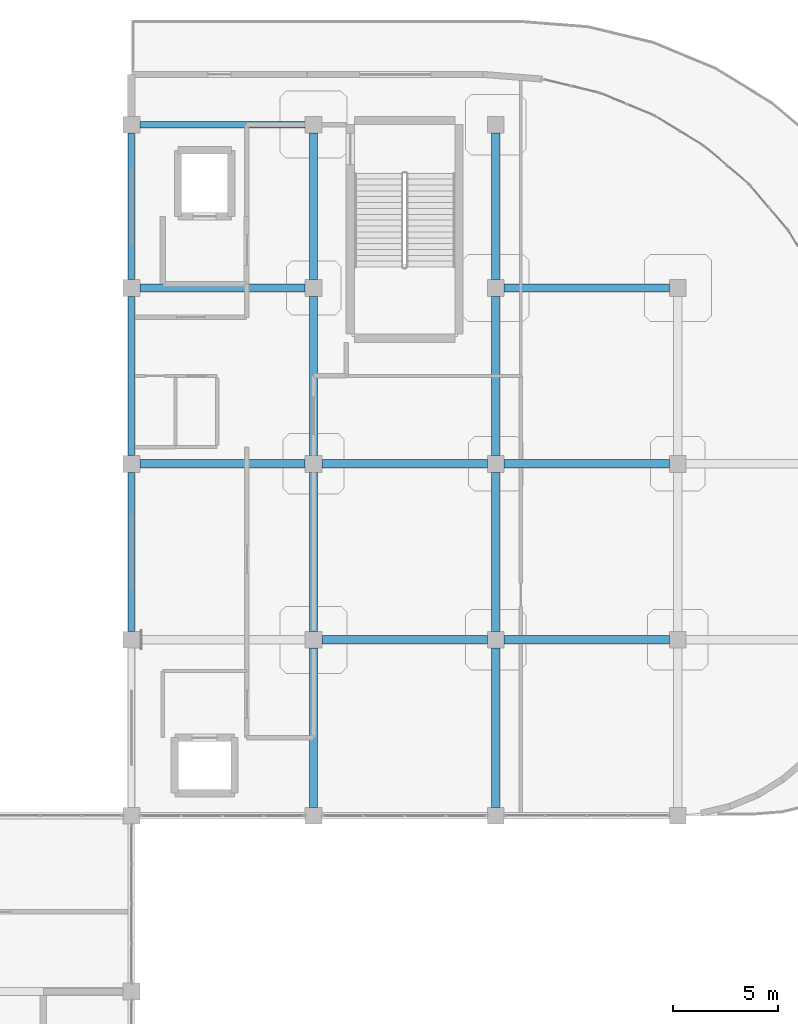
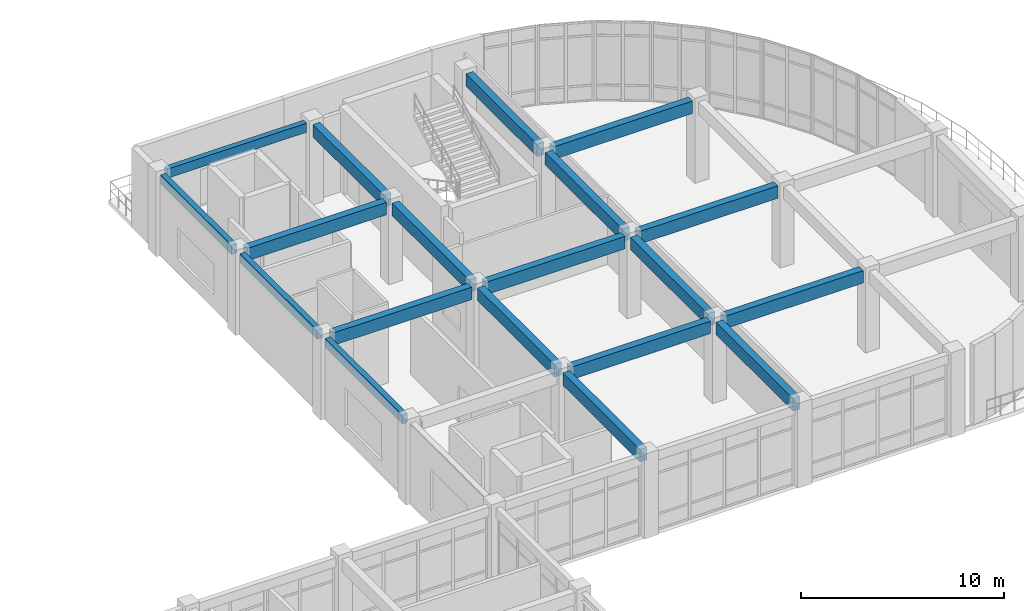
# One storey, part 55 of 96: 19 beams.
"""IFC4 building model written with IfcOpenShell, lengths in metres."""

import ifcopenshell
import ifcopenshell.guid

model = None  # the IFC model being written
_history = None  # IfcOwnerHistory: only IFC2X3 demands one
_inside = {}  # id of a spatial element -> (the spatial element, [elements in it])
_under = {}  # id of a project, library or spatial element -> (it, [spatial elements below it])
_declared = {}  # id of a project -> (the project, [libraries it declares])
_typed = {}  # id of a type object -> (the type object, [elements of that type])
_made_of = {}  # id of a material, layer set ... -> (it, [elements and type objects made of it])


def new_model(schema):
    """Start an empty IFC model of exactly this schema.

    Asked for "IFC4X3", IfcOpenShell would pick the latest addendum, in which some entities
    have other attributes; the version numbers below select the first issue.
    IFC2X3 requires an IfcOwnerHistory on every rooted entity: one is made here for all.
    """
    global model, _history
    if schema == "IFC4X3":
        model = ifcopenshell.file(schema_version=(4, 3, 0, 0))
    else:
        model = ifcopenshell.file(schema=schema)
    _inside.clear()
    _under.clear()
    _declared.clear()
    _typed.clear()
    _made_of.clear()
    _history = None
    if model.schema == "IFC2X3":
        org = make("IfcOrganization", Name="unknown")
        user = make(
            "IfcPersonAndOrganization",
            ThePerson=make("IfcPerson", FamilyName="unknown"),
            TheOrganization=org,
        )
        app = make(
            "IfcApplication",
            ApplicationDeveloper=org,
            Version="unknown",
            ApplicationFullName="unknown",
            ApplicationIdentifier="unknown",
        )
        _history = make(
            "IfcOwnerHistory",
            OwningUser=user,
            OwningApplication=app,
            ChangeAction="ADDED",
            CreationDate=0,
        )
    return model


def make(cls, **values):
    """One entity of the class cls with the attributes given. An attribute that is None is left unset."""
    return model.create_entity(
        cls, **{name: value for name, value in values.items() if value is not None}
    )


def rooted(cls, **values):
    """An entity with a GlobalId (a new one), such as an element, a storey or a relation."""
    return make(cls, GlobalId=ifcopenshell.guid.new(), OwnerHistory=_history, **values)


def si_unit(unit_type, name, prefix=None):
    """IfcSIUnit, for example si_unit("LENGTHUNIT", "METRE", prefix="MILLI")."""
    return make("IfcSIUnit", UnitType=unit_type, Prefix=prefix, Name=name)


def derived_unit(unit_type, elements):
    """IfcDerivedUnit: a product of units, each with its exponent."""
    return make(
        "IfcDerivedUnit",
        Elements=[
            make("IfcDerivedUnitElement", Unit=unit, Exponent=power)
            for unit, power in elements
        ],
        UnitType=unit_type,
    )


def assignment(units):
    """IfcUnitAssignment: the units of a project."""
    return None if units is None else make("IfcUnitAssignment", Units=units)


def point(xyz):
    """IfcCartesianPoint."""
    return None if xyz is None else make("IfcCartesianPoint", Coordinates=xyz)


def direction(xyz):
    """IfcDirection."""
    return None if xyz is None else make("IfcDirection", DirectionRatios=xyz)


def frame(location, z_axis=None, x_axis=None):
    """IfcAxis2Placement3D, a coordinate frame: its origin and axes. An axis left out is left unset."""
    return make(
        "IfcAxis2Placement3D",
        Location=point(location),
        Axis=direction(z_axis),
        RefDirection=direction(x_axis),
    )


def frame_2d(location, x_axis=None):
    """IfcAxis2Placement2D, a coordinate frame in the plane: its origin and x axis."""
    return make(
        "IfcAxis2Placement2D", Location=point(location), RefDirection=direction(x_axis)
    )


def origin():
    """The frame at (0, 0, 0) with its axes left unset."""
    return frame((0.0, 0.0, 0.0))


def origin_2d():
    """The frame at (0, 0) in the plane with its x axis left unset."""
    return frame_2d((0.0, 0.0))


def place(relative_to, where):
    """IfcLocalPlacement: puts the frame where relative to a parent placement (None: the world)."""
    return make(
        "IfcLocalPlacement", PlacementRelTo=relative_to, RelativePlacement=where
    )


def context(
    kind, dimensions, precision=None, world=None, true_north=None, identifier=None
):
    """IfcGeometricRepresentationContext, for example the 3D "Model" context."""
    return make(
        "IfcGeometricRepresentationContext",
        ContextIdentifier=identifier,
        ContextType=kind,
        CoordinateSpaceDimension=dimensions,
        Precision=precision,
        WorldCoordinateSystem=world,
        TrueNorth=true_north,
    )


def subcontext(parent, identifier, kind, view, scale=None):
    """IfcGeometricRepresentationSubContext, for example "Body" below "Model"."""
    return make(
        "IfcGeometricRepresentationSubContext",
        ContextIdentifier=identifier,
        ContextType=kind,
        ParentContext=parent,
        TargetScale=scale,
        TargetView=view,
    )


def project(units=None, contexts=None):
    """IfcProject with its units and contexts."""
    return rooted(
        "IfcProject",
        Name="project",
        RepresentationContexts=contexts,
        UnitsInContext=assignment(units),
    )


def spatial(cls, under=None, at=None, **own):
    """A site, building, storey or space (cls), placed at a placement, below another one or the project."""
    s = rooted(cls, ObjectPlacement=at, **own)
    if under is not None:
        _under.setdefault(under.id(), (under, []))[1].append(s)
    return s


def profile(cls, at=None, kind="AREA", **sizes):
    """A parametric profile (cls). Its sizes go by their IFC names, for example OverallWidth=200.0."""
    return make(cls, ProfileType=kind, Position=at, **sizes)


def rectangle(**sizes):
    """IfcRectangleProfileDef."""
    return profile("IfcRectangleProfileDef", **sizes)


def extrude(swept, where, along, depth):
    """IfcExtrudedAreaSolid: the profile swept, set in the frame where, extruded along a direction by depth."""
    return make(
        "IfcExtrudedAreaSolid",
        SweptArea=swept,
        Position=where,
        ExtrudedDirection=direction(along),
        Depth=depth,
    )


def shape(context_of_items, identifier, shape_type, items):
    """IfcShapeRepresentation: the items that make up one representation, for example the "Body"."""
    return make(
        "IfcShapeRepresentation",
        ContextOfItems=context_of_items,
        RepresentationIdentifier=identifier,
        RepresentationType=shape_type,
        Items=items,
    )


def material(Name=None, Category=None):
    """IfcMaterial."""
    return make("IfcMaterial", Name=Name, Category=Category)


def material_profile(
    of_material, cross_section, Name=None, Category=None, Priority=None
):
    """IfcMaterialProfile: a cross section and its material."""
    return make(
        "IfcMaterialProfile",
        Name=Name,
        Material=of_material,
        Profile=cross_section,
        Priority=Priority,
        Category=Category,
    )


def profile_set(profiles, Name=None, composite=None):
    """IfcMaterialProfileSet."""
    return make(
        "IfcMaterialProfileSet",
        Name=Name,
        MaterialProfiles=profiles,
        CompositeProfile=composite,
    )


def made_of(thing, what):
    """Note that an element or type object is made of a material, layer set ...; save() writes the relation."""
    if what is not None:
        _made_of.setdefault(what.id(), (what, []))[1].append(thing)
    return thing


def type_object(cls, material=None, **own):
    """A type object (cls), such as IfcWallType, which elements share."""
    return made_of(rooted(cls, **own), material)


def element(
    cls,
    number,
    at=None,
    inside=None,
    cuts=None,
    type_object=None,
    material=None,
    context=None,
    identifier="Body",
    shape_type=None,
    held_by="IfcProductDefinitionShape",
    body=None,
    shapes=None,
    **own,
):
    """One element of the class cls, such as IfcWall. Its Tag is "e" and its number.

    at: its placement. inside: the storey or other place that contains it. cuts: it is an
    opening in that element (IfcRelVoidsElement). A single representation is given by context,
    identifier, shape_type and body (its items); several are given by shapes. held_by: the class
    of the entity that holds the representations. save() writes the other relations.
    """
    e = rooted(cls, Tag="e%d" % number, ObjectPlacement=at, **own)
    if body is not None:
        shapes = [shape(context, identifier, shape_type, body)]
    if shapes is not None:
        e.Representation = make(held_by, Representations=shapes)
    if inside is not None:
        _inside.setdefault(inside.id(), (inside, []))[1].append(e)
    if cuts is not None:
        rooted(
            "IfcRelVoidsElement", RelatingBuildingElement=cuts, RelatedOpeningElement=e
        )
    if type_object is not None:
        _typed.setdefault(type_object.id(), (type_object, []))[1].append(e)
    return made_of(e, material)


def aggregate(whole, parts):
    """IfcRelAggregates: a whole, such as a stair, and the parts it consists of."""
    return rooted("IfcRelAggregates", RelatingObject=whole, RelatedObjects=parts)


def save(model, path):
    """Write the relations noted so far, then the file.

    IfcRelAggregates (storeys below a building ...), IfcRelContainedInSpatialStructure (elements
    in a storey), IfcRelDefinesByType, IfcRelAssociatesMaterial and IfcRelDeclares: one each for
    every whole, place, type object, material and project.
    """
    for whole, parts in _under.values():
        aggregate(whole, parts)
    for where, things in _inside.values():
        rooted(
            "IfcRelContainedInSpatialStructure",
            RelatedElements=things,
            RelatingStructure=where,
        )
    for kind, things in _typed.values():
        rooted("IfcRelDefinesByType", RelatedObjects=things, RelatingType=kind)
    for what, things in _made_of.values():
        rooted("IfcRelAssociatesMaterial", RelatedObjects=things, RelatingMaterial=what)
    for by, libraries in _declared.values():
        rooted("IfcRelDeclares", RelatingContext=by, RelatedDefinitions=libraries)
    model.write(path)


model = new_model("IFC4")

# Units and contexts
model_context = context("Model", 3, precision=1e-05, world=origin(), true_north=direction((0.0, 1.0)))
body_context = subcontext(model_context, "Body", "Model", "MODEL_VIEW")
ifc_project = project(units=[si_unit("LENGTHUNIT", "METRE"), si_unit("AREAUNIT", "SQUARE_METRE"), si_unit("VOLUMEUNIT", "CUBIC_METRE"), si_unit("PLANEANGLEUNIT", "RADIAN"), si_unit("MASSUNIT", "GRAM", prefix="KILO"), derived_unit("THERMALTRANSMITTANCEUNIT", [(si_unit("MASSUNIT", "GRAM", prefix="KILO"), 1), (si_unit("TIMEUNIT", "SECOND"), -3), (si_unit("THERMODYNAMICTEMPERATUREUNIT", "KELVIN"), -1)])], contexts=[model_context])

# Site, building, storey
site_placement = place(None, origin())
site = spatial("IfcSite", under=ifc_project, at=site_placement, CompositionType="ELEMENT")
building_placement = place(site_placement, origin())
building = spatial("IfcBuilding", under=site, at=building_placement, Name="Qinzheling Arcade Emporium", CompositionType="ELEMENT")
storey_placement = place(building_placement, frame((0.0, 0.0, 21.60009765625)))
storey = spatial("IfcBuildingStorey", under=building, at=storey_placement, Name="L05", CompositionType="ELEMENT", Elevation=21.60009765625)

# Beams
ifc_material = material(Name="Concrete C40", Category="concrete")
ifc_material_profile_1 = material_profile(ifc_material, rectangle(XDim=0.39990234375, YDim=0.75, at=origin_2d()), Name="RC 400x750", Category="concrete")
ifc_profile_set_1 = profile_set([ifc_material_profile_1], Name="Concrete C40")
beam_type_1 = type_object("IfcBeamType", Name="RC Interior Tie Beam 400x750 C40", PredefinedType="BEAM", material=ifc_profile_set_1)
beam_1_placement = place(storey_placement, frame((113.5, 82.199951171875, 4.4599609375), z_axis=(1.0, 0.0, 0.0), x_axis=(0.0, 1.0, 0.0)))
element("IfcBeam", 1, at=beam_1_placement, inside=storey, type_object=beam_type_1, Name="Beam BM-L05-X-K-14", PredefinedType="BEAM", context=body_context, shape_type="SweptSolid", body=[
    extrude(rectangle(XDim=0.39990234375, YDim=0.75, at=origin_2d()), origin(), (0.0, 0.0, 1.0), 7.89990234375),
])
beam_2_placement = place(storey_placement, frame((122.199951171875, 82.199951171875, 4.4599609375), z_axis=(1.0, 0.0, 0.0), x_axis=(0.0, 1.0, 0.0)))
element("IfcBeam", 2, at=beam_2_placement, inside=storey, type_object=beam_type_1, Name="Beam BM-L05-X-K-15", PredefinedType="BEAM", context=body_context, shape_type="SweptSolid", body=[
    extrude(rectangle(XDim=0.39990234375, YDim=0.75, at=origin_2d()), origin(), (0.0, 0.0, 1.0), 7.900146484375),
])
for number, where, z_axis, x_axis, name in (
    (3, (104.800048828125, 90.60009765625, 4.4599609375), (1.0, 0.0, 0.0), (0.0, 1.0, 0.0), "Beam BM-L05-X-L-13"),
    (4, (113.5, 90.60009765625, 4.4599609375), (1.0, 0.0, 0.0), (0.0, 1.0, 0.0), "Beam BM-L05-X-L-14"),
):
    element("IfcBeam", number, at=place(storey_placement, frame(where, z_axis=z_axis, x_axis=x_axis)), inside=storey, type_object=beam_type_1, Name=name, PredefinedType="BEAM", context=body_context, shape_type="SweptSolid", body=[
        extrude(rectangle(XDim=0.39990234375, YDim=0.75, at=origin_2d()), origin(), (0.0, 0.0, 1.0), 7.89990234375),
    ])
beam_3_placement = place(storey_placement, frame((122.199951171875, 90.60009765625, 4.4599609375), z_axis=(1.0, 0.0, 0.0), x_axis=(0.0, 1.0, 0.0)))
element("IfcBeam", 5, at=beam_3_placement, inside=storey, type_object=beam_type_1, Name="Beam BM-L05-X-L-15", PredefinedType="BEAM", context=body_context, shape_type="SweptSolid", body=[
    extrude(rectangle(XDim=0.39990234375, YDim=0.75, at=origin_2d()), origin(), (0.0, 0.0, 1.0), 7.900146484375),
])
beam_4_placement = place(storey_placement, frame((104.800048828125, 99.0, 4.4599609375), z_axis=(1.0, 0.0, 0.0), x_axis=(0.0, 1.0, 0.0)))
element("IfcBeam", 6, at=beam_4_placement, inside=storey, type_object=beam_type_1, Name="Beam BM-L05-X-M-13", PredefinedType="BEAM", context=body_context, shape_type="SweptSolid", body=[
    extrude(rectangle(XDim=0.39990234375, YDim=0.75, at=origin_2d()), origin(), (0.0, 0.0, 1.0), 7.89990234375),
])
beam_5_placement = place(storey_placement, frame((122.199951171875, 99.0, 4.4599609375), z_axis=(1.0, 0.0, 0.0), x_axis=(0.0, 1.0, 0.0)))
element("IfcBeam", 7, at=beam_5_placement, inside=storey, type_object=beam_type_1, Name="Beam BM-L05-X-M-15", PredefinedType="BEAM", context=body_context, shape_type="SweptSolid", body=[
    extrude(rectangle(XDim=0.39990234375, YDim=0.75, at=origin_2d()), origin(), (0.0, 0.0, 1.0), 7.900146484375),
])
beam_6_placement = place(storey_placement, frame((113.10009765625, 74.199951171875, 4.4599609375), z_axis=(0.0, 1.0, 0.0), x_axis=(-1.0, 0.0, 0.0)))
element("IfcBeam", 8, at=beam_6_placement, inside=storey, type_object=beam_type_1, Name="Beam BM-L05-Y-14-J", PredefinedType="BEAM", context=body_context, shape_type="SweptSolid", body=[
    extrude(rectangle(XDim=0.39990234375, YDim=0.75, at=origin_2d()), origin(), (0.0, 0.0, 1.0), 7.60009765625),
])
beam_7_placement = place(storey_placement, frame((113.10009765625, 82.60009765625, 4.4599609375), z_axis=(0.0, 1.0, 0.0), x_axis=(-1.0, 0.0, 0.0)))
element("IfcBeam", 9, at=beam_7_placement, inside=storey, type_object=beam_type_1, Name="Beam BM-L05-Y-14-K", PredefinedType="BEAM", context=body_context, shape_type="SweptSolid", body=[
    extrude(rectangle(XDim=0.39990234375, YDim=0.75, at=origin_2d()), origin(), (0.0, 0.0, 1.0), 7.599853515625),
])
beam_8_placement = place(storey_placement, frame((113.10009765625, 91.0, 4.4599609375), z_axis=(0.0, 1.0, 0.0), x_axis=(-1.0, 0.0, 0.0)))
element("IfcBeam", 10, at=beam_8_placement, inside=storey, type_object=beam_type_1, Name="Beam BM-L05-Y-14-L", PredefinedType="BEAM", context=body_context, shape_type="SweptSolid", body=[
    extrude(rectangle(XDim=0.39990234375, YDim=0.75, at=origin_2d()), origin(), (0.0, 0.0, 1.0), 7.60009765625),
])
beam_9_placement = place(storey_placement, frame((113.10009765625, 99.39990234375, 4.4599609375), z_axis=(0.0, 1.0, 0.0), x_axis=(-1.0, 0.0, 0.0)))
element("IfcBeam", 11, at=beam_9_placement, inside=storey, type_object=beam_type_1, Name="Beam BM-L05-Y-14-M", PredefinedType="BEAM", context=body_context, shape_type="SweptSolid", body=[
    extrude(rectangle(XDim=0.39990234375, YDim=0.75, at=origin_2d()), origin(), (0.0, 0.0, 1.0), 7.0),
])
beam_10_placement = place(storey_placement, frame((121.800048828125, 74.199951171875, 4.4599609375), z_axis=(0.0, 1.0, 0.0), x_axis=(-1.0, 0.0, 0.0)))
element("IfcBeam", 12, at=beam_10_placement, inside=storey, type_object=beam_type_1, Name="Beam BM-L05-Y-15-J", PredefinedType="BEAM", context=body_context, shape_type="SweptSolid", body=[
    extrude(rectangle(XDim=0.39990234375, YDim=0.75, at=origin_2d()), origin(), (0.0, 0.0, 1.0), 7.60009765625),
])
beam_11_placement = place(storey_placement, frame((121.800048828125, 82.60009765625, 4.4599609375), z_axis=(0.0, 1.0, 0.0), x_axis=(-1.0, 0.0, 0.0)))
element("IfcBeam", 13, at=beam_11_placement, inside=storey, type_object=beam_type_1, Name="Beam BM-L05-Y-15-K", PredefinedType="BEAM", context=body_context, shape_type="SweptSolid", body=[
    extrude(rectangle(XDim=0.39990234375, YDim=0.75, at=origin_2d()), origin(), (0.0, 0.0, 1.0), 7.599853515625),
])
beam_12_placement = place(storey_placement, frame((121.800048828125, 91.0, 4.4599609375), z_axis=(0.0, 1.0, 0.0), x_axis=(-1.0, 0.0, 0.0)))
element("IfcBeam", 14, at=beam_12_placement, inside=storey, type_object=beam_type_1, Name="Beam BM-L05-Y-15-L", PredefinedType="BEAM", context=body_context, shape_type="SweptSolid", body=[
    extrude(rectangle(XDim=0.39990234375, YDim=0.75, at=origin_2d()), origin(), (0.0, 0.0, 1.0), 7.60009765625),
])
beam_13_placement = place(storey_placement, frame((121.800048828125, 99.39990234375, 4.4599609375), z_axis=(0.0, 1.0, 0.0), x_axis=(-1.0, 0.0, 0.0)))
element("IfcBeam", 15, at=beam_13_placement, inside=storey, type_object=beam_type_1, Name="Beam BM-L05-Y-15-M", PredefinedType="BEAM", context=body_context, shape_type="SweptSolid", body=[
    extrude(rectangle(XDim=0.39990234375, YDim=0.75, at=origin_2d()), origin(), (0.0, 0.0, 1.0), 7.0),
])
ifc_material_profile_2 = material_profile(ifc_material, rectangle(XDim=0.300048828125, YDim=0.550048828125, at=origin_2d()), Name="RC 300x550", Category="concrete")
ifc_profile_set_2 = profile_set([ifc_material_profile_2], Name="Concrete C40")
beam_type_2 = type_object("IfcBeamType", Name="RC Terrace Spandrel Beam 300x550 C40", PredefinedType="SPANDREL", material=ifc_profile_set_2)
beam_14_placement = place(storey_placement, frame((104.800048828125, 106.800048828125, 4.559814453125), z_axis=(1.0, 0.0, 0.0), x_axis=(0.0, 1.0, 0.0)))
element("IfcBeam", 16, at=beam_14_placement, inside=storey, type_object=beam_type_2, Name="Beam BM-L05-X-N-13", PredefinedType="SPANDREL", context=body_context, shape_type="SweptSolid", body=[
    extrude(rectangle(XDim=0.300048828125, YDim=0.550048828125, at=origin_2d()), origin(), (0.0, 0.0, 1.0), 7.89990234375),
])
beam_15_placement = place(storey_placement, frame((104.39990234375, 82.60009765625, 4.559814453125), z_axis=(0.0, 1.0, 0.0), x_axis=(-1.0, 0.0, 0.0)))
element("IfcBeam", 17, at=beam_15_placement, inside=storey, type_object=beam_type_2, Name="Beam BM-L05-Y-13-K", PredefinedType="SPANDREL", context=body_context, shape_type="SweptSolid", body=[
    extrude(rectangle(XDim=0.300048828125, YDim=0.550048828125, at=origin_2d()), origin(), (0.0, 0.0, 1.0), 7.599853515625),
])
beam_16_placement = place(storey_placement, frame((104.39990234375, 91.0, 4.559814453125), z_axis=(0.0, 1.0, 0.0), x_axis=(-1.0, 0.0, 0.0)))
element("IfcBeam", 18, at=beam_16_placement, inside=storey, type_object=beam_type_2, Name="Beam BM-L05-Y-13-L", PredefinedType="SPANDREL", context=body_context, shape_type="SweptSolid", body=[
    extrude(rectangle(XDim=0.300048828125, YDim=0.550048828125, at=origin_2d()), origin(), (0.0, 0.0, 1.0), 7.60009765625),
])
beam_17_placement = place(storey_placement, frame((104.39990234375, 99.39990234375, 4.559814453125), z_axis=(0.0, 1.0, 0.0), x_axis=(-1.0, 0.0, 0.0)))
element("IfcBeam", 19, at=beam_17_placement, inside=storey, type_object=beam_type_2, Name="Beam BM-L05-Y-13-M", PredefinedType="SPANDREL", context=body_context, shape_type="SweptSolid", body=[
    extrude(rectangle(XDim=0.300048828125, YDim=0.550048828125, at=origin_2d()), origin(), (0.0, 0.0, 1.0), 7.0),
])

save(model, "model.ifc")
